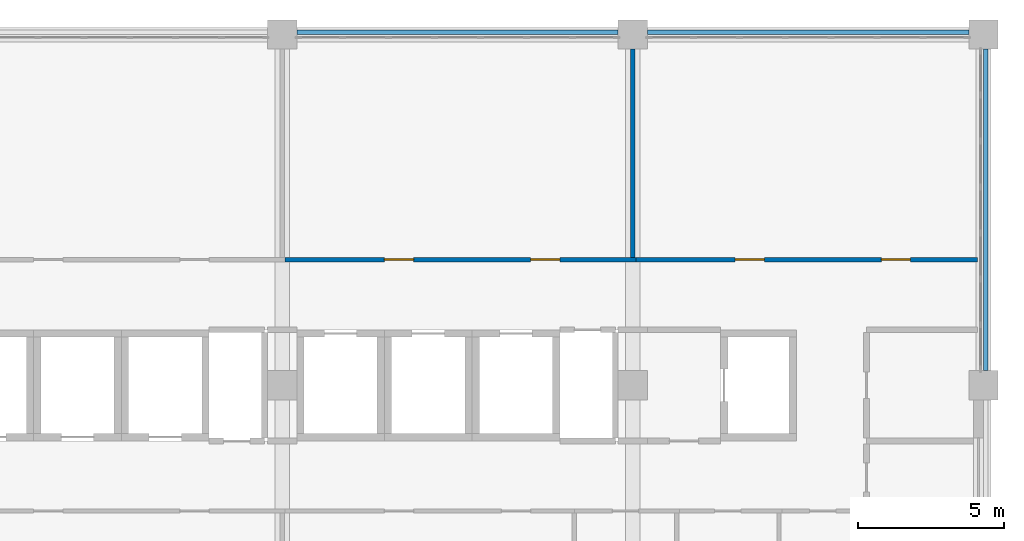
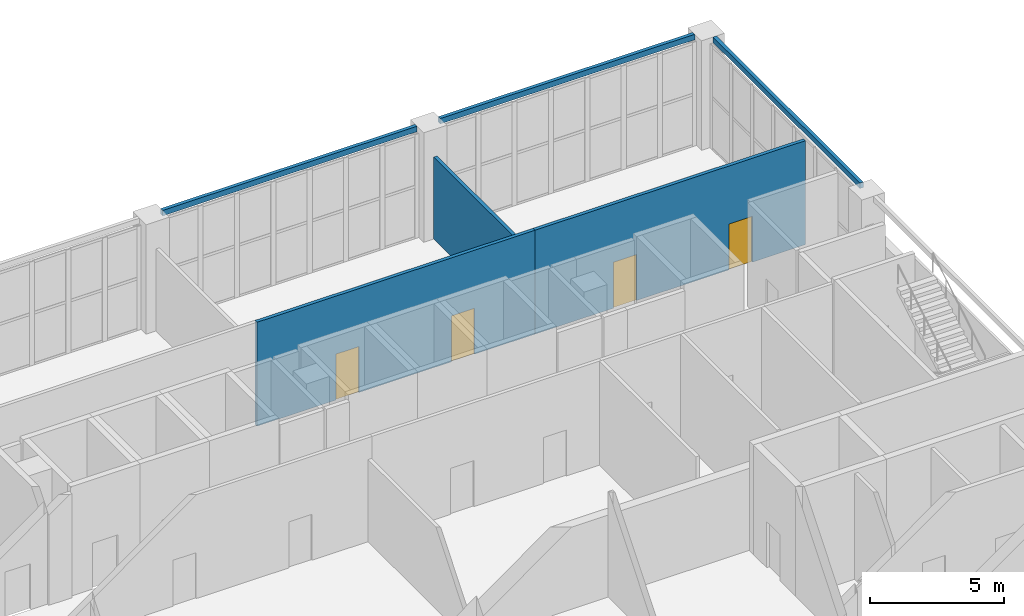
# One storey, part 65 of 69: 6 walls, 4 doors, 4 openings.
"""IFC4 building model written with IfcOpenShell, lengths in metres."""

from ifc_helpers import new_model, si_unit, direction, frame, frame_2d, origin, place, context, subcontext, project, spatial, rectangle, extrude, material, layer, layer_set, type_object, element, fill, save


model = new_model("IFC4")

# Units and contexts
model_context = context("Model", 3, precision=1e-05, world=origin(), true_north=direction((0.0, 1.0)))
body_context = subcontext(model_context, "Body", "Model", "MODEL_VIEW")
ifc_project = project(units=[si_unit("LENGTHUNIT", "METRE"), si_unit("AREAUNIT", "SQUARE_METRE"), si_unit("VOLUMEUNIT", "CUBIC_METRE"), si_unit("PLANEANGLEUNIT", "RADIAN"), si_unit("MASSUNIT", "GRAM", prefix="KILO")], contexts=[model_context])

# Site, building, storey
site_placement = place(None, origin())
site = spatial("IfcSite", under=ifc_project, at=site_placement, CompositionType="ELEMENT")
building_placement = place(site_placement, origin())
building = spatial("IfcBuilding", under=site, at=building_placement, Name="Lilac Gate Convention Centre", CompositionType="ELEMENT")
storey_placement = place(building_placement, frame((0.0, 0.0, 12.0)))
storey = spatial("IfcBuildingStorey", under=building, at=storey_placement, Name="L02", CompositionType="ELEMENT", Elevation=12.0)

# Wall, openings, doors
ifc_material_1 = material(Name="Gypsum board on steel stud", Category="steel")
ifc_layer_1 = layer(ifc_material_1, 0.14990234375)
ifc_layer_set_1 = layer_set([ifc_layer_1], Name="Gypsum board on steel stud")
wall_type_1 = type_object("IfcWallType", Name="Corridor wall 150", PredefinedType="PARTITIONING", material=ifc_layer_set_1)
wall_1_placement = place(storey_placement, frame((66.10009765625, 238.300048828125, 0.0), z_axis=(0.0, 0.0, 1.0), x_axis=(1.0, 0.0, 0.0)))
wall_1 = element("IfcWall", 1, at=wall_1_placement, inside=storey, type_object=wall_type_1, Name="Corridor wall 150 front M56", PredefinedType="PARTITIONING", context=body_context, shape_type="SweptSolid", body=[
    extrude(rectangle(XDim=12.0, YDim=0.14990234375, at=frame_2d((6.0, 0.0))), origin(), (0.0, 0.0, 1.0), 4.75),
])
opening_1_placement = place(wall_1_placement, frame((3.39990234375, 0.0, 0.0)))
opening_1 = element("IfcOpeningElement", 2, at=opening_1_placement, cuts=wall_1, Name="Opening T02-020", PredefinedType="OPENING", context=body_context, shape_type="SweptSolid", body=[
    extrude(rectangle(XDim=1.0, YDim=2.10009765625, at=frame_2d((0.5, 1.050048828125))), frame((0.0, 0.0849609375, 0.0), z_axis=(0.0, -1.0, 0.0), x_axis=(1.0, 0.0, 0.0)), (0.0, 0.0, 1.0), 0.169921875),
])
opening_2_placement = place(wall_1_placement, frame((8.39990234375, 0.0, 0.0)))
opening_2 = element("IfcOpeningElement", 3, at=opening_2_placement, cuts=wall_1, Name="Opening T02-021", PredefinedType="OPENING", context=body_context, shape_type="SweptSolid", body=[
    extrude(rectangle(XDim=1.0, YDim=2.10009765625, at=frame_2d((0.5, 1.050048828125))), frame((0.0, 0.0849609375, 0.0), z_axis=(0.0, -1.0, 0.0), x_axis=(1.0, 0.0, 0.0)), (0.0, 0.0, 1.0), 0.169921875),
])
ifc_material_2 = material(Name="Timber", Category="wood")
door_type = type_object("IfcDoorType", Name="Room door 1000", OperationType="SINGLE_SWING_LEFT", PredefinedType="DOOR", material=ifc_material_2)
door_1_placement = place(opening_1_placement, origin())
door_1 = element("IfcDoor", 4, at=door_1_placement, inside=storey, type_object=door_type, Name="Meeting Room door", OperationType="SINGLE_SWING_LEFT", OverallHeight=2.10009765625, OverallWidth=1.0, PredefinedType="DOOR", context=body_context, shape_type="SweptSolid", body=[
    extrude(rectangle(XDim=1.0, YDim=2.10009765625, at=frame_2d((0.5, 1.050048828125))), frame((0.0, 0.02490234375, 0.0), z_axis=(0.0, -1.0, 0.0), x_axis=(1.0, 0.0, 0.0)), (0.0, 0.0, 1.0), 0.050048828125),
])
fill(opening_1, door_1)
door_2_placement = place(opening_2_placement, origin())
door_2 = element("IfcDoor", 5, at=door_2_placement, inside=storey, type_object=door_type, Name="Meeting Room door", OperationType="SINGLE_SWING_RIGHT", OverallHeight=2.10009765625, OverallWidth=1.0, PredefinedType="DOOR", context=body_context, shape_type="SweptSolid", body=[
    extrude(rectangle(XDim=1.0, YDim=2.10009765625, at=frame_2d((0.5, 1.050048828125))), frame((0.0, 0.02490234375, 0.0), z_axis=(0.0, -1.0, 0.0), x_axis=(1.0, 0.0, 0.0)), (0.0, 0.0, 1.0), 0.050048828125),
])
fill(opening_2, door_2)

wall_2_placement = place(storey_placement, frame((78.10009765625, 238.300048828125, 0.0), z_axis=(0.0, 0.0, 1.0), x_axis=(1.0, 0.0, 0.0)))
wall_2 = element("IfcWall", 6, at=wall_2_placement, inside=storey, type_object=wall_type_1, Name="Corridor wall 150 front BSN", PredefinedType="PARTITIONING", context=body_context, shape_type="SweptSolid", body=[
    extrude(rectangle(XDim=11.69970703125, YDim=0.14990234375, at=frame_2d((5.849853515625, 0.0))), origin(), (0.0, 0.0, 1.0), 4.75),
])
opening_3_placement = place(wall_2_placement, frame((3.39990234375, 0.0, 0.0)))
opening_3 = element("IfcOpeningElement", 7, at=opening_3_placement, cuts=wall_2, Name="Opening T02-022", PredefinedType="OPENING", context=body_context, shape_type="SweptSolid", body=[
    extrude(rectangle(XDim=1.0, YDim=2.10009765625, at=frame_2d((0.5, 1.050048828125))), frame((0.0, 0.0849609375, 0.0), z_axis=(0.0, -1.0, 0.0), x_axis=(1.0, 0.0, 0.0)), (0.0, 0.0, 1.0), 0.169921875),
])
opening_4_placement = place(wall_2_placement, frame((8.39990234375, 0.0, 0.0)))
opening_4 = element("IfcOpeningElement", 8, at=opening_4_placement, cuts=wall_2, Name="Opening T02-023", PredefinedType="OPENING", context=body_context, shape_type="SweptSolid", body=[
    extrude(rectangle(XDim=1.0, YDim=2.10009765625, at=frame_2d((0.5, 1.050048828125))), frame((0.0, 0.0849609375, 0.0), z_axis=(0.0, -1.0, 0.0), x_axis=(1.0, 0.0, 0.0)), (0.0, 0.0, 1.0), 0.169921875),
])
door_3_placement = place(opening_3_placement, origin())
door_3 = element("IfcDoor", 9, at=door_3_placement, inside=storey, type_object=door_type, Name="Business Centre door", OperationType="SINGLE_SWING_LEFT", OverallHeight=2.10009765625, OverallWidth=1.0, PredefinedType="DOOR", context=body_context, shape_type="SweptSolid", body=[
    extrude(rectangle(XDim=1.0, YDim=2.10009765625, at=frame_2d((0.5, 1.050048828125))), frame((0.0, 0.02490234375, 0.0), z_axis=(0.0, -1.0, 0.0), x_axis=(1.0, 0.0, 0.0)), (0.0, 0.0, 1.0), 0.050048828125),
])
fill(opening_3, door_3)
door_4_placement = place(opening_4_placement, origin())
door_4 = element("IfcDoor", 10, at=door_4_placement, inside=storey, type_object=door_type, Name="Business Centre door", OperationType="SINGLE_SWING_RIGHT", OverallHeight=2.10009765625, OverallWidth=1.0, PredefinedType="DOOR", context=body_context, shape_type="SweptSolid", body=[
    extrude(rectangle(XDim=1.0, YDim=2.10009765625, at=frame_2d((0.5, 1.050048828125))), frame((0.0, 0.02490234375, 0.0), z_axis=(0.0, -1.0, 0.0), x_axis=(1.0, 0.0, 0.0)), (0.0, 0.0, 1.0), 0.050048828125),
])
fill(opening_4, door_4)

# Walls
ifc_material_3 = material(Name="Concrete C40 precast", Category="concrete")
ifc_layer_2 = layer(ifc_material_3, 0.1298828125)
ifc_material_4 = material(Name="Ochre mineral render")
ifc_layer_3 = layer(ifc_material_4, 0.02001953125)
ifc_layer_set_2 = layer_set([ifc_layer_2, ifc_layer_3], Name="Concrete C40 precast, Ochre mineral render")
wall_type_2 = type_object("IfcWallType", Name="Precast band ochre 150", PredefinedType="STANDARD", material=ifc_layer_set_2)
for number, where, z_axis, x_axis, name in (
    (11, (90.074951171875, 234.5, 4.75), (0.0, 0.0, 1.0), (0.0, 1.0, 0.0), "Precast band E L02 2"),
    (12, (89.5, 246.074951171875, 4.75), (0.0, 0.0, 1.0), (-1.0, 0.0, 0.0), "Precast band N L02 1"),
    (13, (77.5, 246.074951171875, 4.75), (0.0, 0.0, 1.0), (-1.0, 0.0, 0.0), "Precast band N L02 2"),
):
    element("IfcWall", number, at=place(storey_placement, frame(where, z_axis=z_axis, x_axis=x_axis)), inside=storey, type_object=wall_type_2, Name=name, PredefinedType="STANDARD", context=body_context, shape_type="SweptSolid", body=[
        extrude(rectangle(XDim=11.0, YDim=0.14990234375, at=frame_2d((5.5, 0.0))), origin(), (0.0, 0.0, 1.0), 0.25),
    ])
ifc_layer_4 = layer(ifc_material_1, 0.14990234375)
ifc_layer_set_3 = layer_set([ifc_layer_4], Name="Gypsum board on steel stud")
wall_type_3 = type_object("IfcWallType", Name="Room partition 150", PredefinedType="PARTITIONING", material=ifc_layer_set_3)
wall_3_placement = place(storey_placement, frame((78.0, 245.5, 0.0), z_axis=(0.0, 0.0, 1.0), x_axis=(0.0, -1.0, 0.0)))
element("IfcWall", 14, at=wall_3_placement, inside=storey, type_object=wall_type_3, Name="Room partition 150 part BSN", PredefinedType="PARTITIONING", context=body_context, shape_type="SweptSolid", body=[
    extrude(rectangle(XDim=7.125, YDim=0.14990234375, at=frame_2d((3.5625, 0.0))), origin(), (0.0, 0.0, 1.0), 3.75),
])

save(model, "model.ifc")
